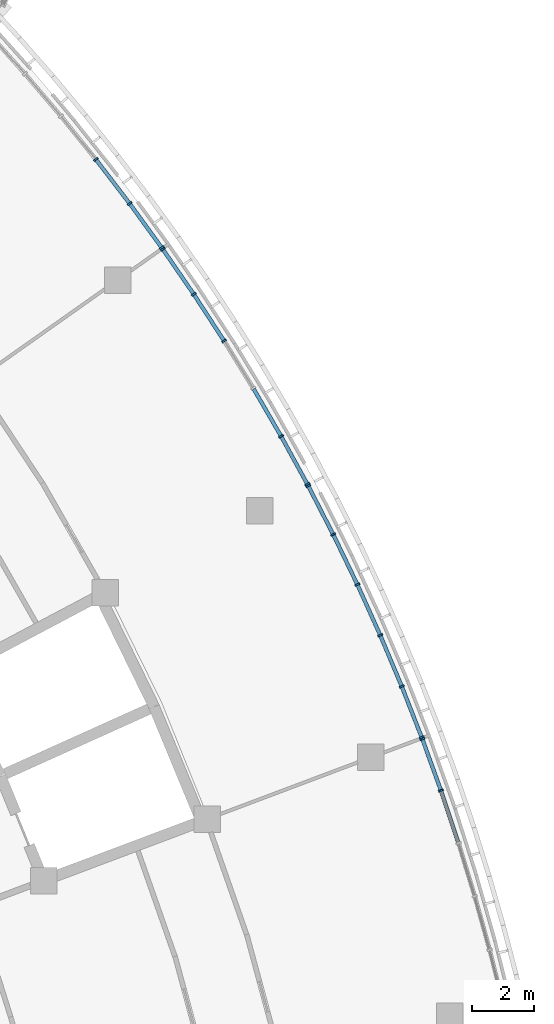
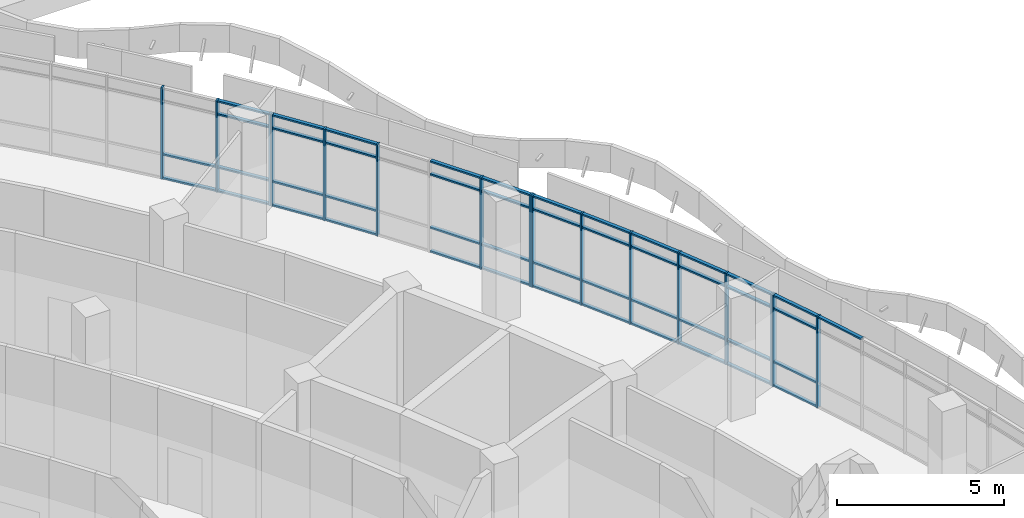
# One storey, part 31 of 136: 63 members, 4 elements without a shape of their own.
"""IFC4 building model written with IfcOpenShell, lengths in metres."""

from ifc_helpers import new_model, si_unit, direction, frame, origin, origin_2d, place, context, subcontext, project, spatial, rectangle, extrude, material, material_profile, profile_set, type_object, element, aggregate, save


model = new_model("IFC4")

# Units and contexts
model_context = context("Model", 3, precision=1e-05, world=origin(), true_north=direction((0.0, 1.0)))
body_context = subcontext(model_context, "Body", "Model", "MODEL_VIEW")
ifc_project = project(units=[si_unit("LENGTHUNIT", "METRE"), si_unit("AREAUNIT", "SQUARE_METRE"), si_unit("VOLUMEUNIT", "CUBIC_METRE"), si_unit("PLANEANGLEUNIT", "RADIAN"), si_unit("MASSUNIT", "GRAM", prefix="KILO")], contexts=[model_context])

# Site, building, storey
site_placement = place(None, origin())
site = spatial("IfcSite", under=ifc_project, at=site_placement, CompositionType="ELEMENT")
building_placement = place(site_placement, origin())
building = spatial("IfcBuilding", under=site, at=building_placement, Name="Bougainvillea Quay General Hospital", CompositionType="ELEMENT")
storey_placement = place(building_placement, frame((0.0, 0.0, 5.39990234375)))
storey = spatial("IfcBuildingStorey", under=building, at=storey_placement, Name="L01", CompositionType="ELEMENT", Elevation=5.39990234375)

# Curtain wall, members
ifc_material_1 = material(Name="Aluminium curtain wall system, powder-coated glazed", Category="aluminium")
curtain_wall_type = type_object("IfcCurtainWallType", Name="Unitised curtain wall CW-2100", PredefinedType="NOTDEFINED", material=ifc_material_1)
curtain_wall_1_placement = place(storey_placement, origin())
curtain_wall_1 = element("IfcCurtainWall", 1, at=curtain_wall_1_placement, inside=storey, type_object=curtain_wall_type, Name="CW-E04 a23b3", PredefinedType="NOTDEFINED")
ifc_material_2 = material(Name="Aluminium mullion, powder-coated charcoal", Category="aluminium")
ifc_material_profile_1 = material_profile(ifc_material_2, rectangle(XDim=0.159912109375, YDim=0.06005859375, at=origin_2d()))
ifc_profile_set_1 = profile_set([ifc_material_profile_1], Name="Aluminium mullion, powder-coated charcoal")
member_type_1 = type_object("IfcMemberType", Name="Curtain wall mullion 160x60", PredefinedType="MULLION", material=ifc_profile_set_1)
member_1_placement = place(storey_placement, frame((164.03125, 65.112060546875, 0.0), z_axis=(0.0, 0.0, 1.0), x_axis=(0.786107232438, 0.618090138337, 0.0)))
member_1 = element("IfcMember", 2, at=member_1_placement, type_object=member_type_1, Name="CW-E04 mullion 4", PredefinedType="MULLION", context=body_context, shape_type="SweptSolid", body=[
    extrude(rectangle(XDim=0.159912109375, YDim=0.06005859375, at=origin_2d()), origin(), (0.0, 0.0, 1.0), 3.35009765625),
])
member_2_placement = place(storey_placement, frame((165.11376953125, 63.69873046875, 0.0), z_axis=(0.0, 0.0, 1.0), x_axis=(0.801625419341, 0.597826636297, 0.0)))
member_2 = element("IfcMember", 3, at=member_2_placement, type_object=member_type_1, Name="CW-E04 mullion 5", PredefinedType="MULLION", context=body_context, shape_type="SweptSolid", body=[
    extrude(rectangle(XDim=0.159912109375, YDim=0.06005859375, at=origin_2d()), origin(), (0.0, 0.0, 1.0), 3.35009765625),
])
member_3_placement = place(storey_placement, frame((166.14208984375, 62.282470703125, 0.0), z_axis=(0.0, 0.0, 1.0), x_axis=(0.809189307232, 0.587548010856, 0.0)))
member_3 = element("IfcMember", 4, at=member_3_placement, type_object=member_type_1, Name="CW-E04 mullion 6", PredefinedType="MULLION", context=body_context, shape_type="SweptSolid", body=[
    extrude(rectangle(XDim=0.159912109375, YDim=0.06005859375, at=origin_2d()), origin(), (0.0, 0.0, 1.0), 3.35009765625),
])

curtain_wall_2_placement = place(storey_placement, origin())
curtain_wall_2 = element("IfcCurtainWall", 5, at=curtain_wall_2_placement, inside=storey, type_object=curtain_wall_type, Name="CW-E05 a23b4", PredefinedType="NOTDEFINED")
member_4_placement = place(storey_placement, frame((166.1767578125, 62.2333984375, 0.0), z_axis=(0.0, 0.0, 1.0), x_axis=(0.823920512723, 0.566705380876, 0.0)))
member_4 = element("IfcMember", 6, at=member_4_placement, type_object=member_type_1, Name="CW-E05 mullion 1", PredefinedType="MULLION", context=body_context, shape_type="SweptSolid", body=[
    extrude(rectangle(XDim=0.159912109375, YDim=0.06005859375, at=origin_2d()), origin(), (0.0, 0.0, 1.0), 3.35009765625),
])
member_5_placement = place(storey_placement, frame((167.168701171875, 60.791259765625, 0.0), z_axis=(0.0, 0.0, 1.0), x_axis=(0.831085431161, 0.556144770821, 0.0)))
member_5 = element("IfcMember", 7, at=member_5_placement, type_object=member_type_1, Name="CW-E05 mullion 2", PredefinedType="MULLION", context=body_context, shape_type="SweptSolid", body=[
    extrude(rectangle(XDim=0.159912109375, YDim=0.06005859375, at=origin_2d()), origin(), (0.0, 0.0, 1.0), 3.35009765625),
])
member_6_placement = place(storey_placement, frame((168.1396484375, 59.29931640625, 0.0), z_axis=(0.0, 0.0, 1.0), x_axis=(0.84500806513, 0.534753559937, 0.0)))
member_6 = element("IfcMember", 8, at=member_6_placement, type_object=member_type_1, Name="CW-E05 mullion 3", PredefinedType="MULLION", context=body_context, shape_type="SweptSolid", body=[
    extrude(rectangle(XDim=0.159912109375, YDim=0.06005859375, at=origin_2d()), origin(), (0.0, 0.0, 1.0), 3.35009765625),
])
member_7_placement = place(storey_placement, frame((169.966064453125, 56.243408203125, 0.0), z_axis=(0.0, 0.0, 1.0), x_axis=(0.871193247428, 0.490940246503, 0.0)))
member_7 = element("IfcMember", 9, at=member_7_placement, type_object=member_type_1, Name="CW-E05 mullion 5", PredefinedType="MULLION", context=body_context, shape_type="SweptSolid", body=[
    extrude(rectangle(XDim=0.159912109375, YDim=0.06005859375, at=origin_2d()), origin(), (0.0, 0.0, 1.0), 3.35009765625),
])
member_8_placement = place(storey_placement, frame((170.805908203125, 54.707763671875, 0.0), z_axis=(0.0, 0.0, 1.0), x_axis=(0.877387439543, 0.479782535044, 0.0)))
member_8 = element("IfcMember", 10, at=member_8_placement, type_object=member_type_1, Name="CW-E05 mullion 6", PredefinedType="MULLION", context=body_context, shape_type="SweptSolid", body=[
    extrude(rectangle(XDim=0.159912109375, YDim=0.06005859375, at=origin_2d()), origin(), (0.0, 0.0, 1.0), 3.35009765625),
])

curtain_wall_3_placement = place(storey_placement, origin())
curtain_wall_3 = element("IfcCurtainWall", 11, at=curtain_wall_3_placement, inside=storey, type_object=curtain_wall_type, Name="CW-E06 a23b5", PredefinedType="NOTDEFINED")
member_9_placement = place(storey_placement, frame((170.833984375, 54.65478515625, 0.0), z_axis=(0.0, 0.0, 1.0), x_axis=(0.889346157599, 0.457234526215, 0.0)))
member_9 = element("IfcMember", 12, at=member_9_placement, type_object=member_type_1, Name="CW-E06 mullion 1", PredefinedType="MULLION", context=body_context, shape_type="SweptSolid", body=[
    extrude(rectangle(XDim=0.159912109375, YDim=0.06005859375, at=origin_2d()), origin(), (0.0, 0.0, 1.0), 3.35009765625),
])
member_10_placement = place(storey_placement, frame((171.63427734375, 53.09814453125, 0.0), z_axis=(0.0, 0.0, 1.0), x_axis=(0.895108735914, 0.445847901072, 0.0)))
member_10 = element("IfcMember", 13, at=member_10_placement, type_object=member_type_1, Name="CW-E06 mullion 2", PredefinedType="MULLION", context=body_context, shape_type="SweptSolid", body=[
    extrude(rectangle(XDim=0.159912109375, YDim=0.06005859375, at=origin_2d()), origin(), (0.0, 0.0, 1.0), 3.35009765625),
])
member_11_placement = place(storey_placement, frame((172.407470703125, 51.49462890625, 0.0), z_axis=(0.0, 0.0, 1.0), x_axis=(0.906195638727, 0.422858681301, 0.0)))
member_11 = element("IfcMember", 14, at=member_11_placement, type_object=member_type_1, Name="CW-E06 mullion 3", PredefinedType="MULLION", context=body_context, shape_type="SweptSolid", body=[
    extrude(rectangle(XDim=0.159912109375, YDim=0.06005859375, at=origin_2d()), origin(), (0.0, 0.0, 1.0), 3.35009765625),
])
member_12_placement = place(storey_placement, frame((173.1396484375, 49.871826171875, 0.0), z_axis=(0.0, 0.0, 1.0), x_axis=(0.916692224279, 0.399594001388, 0.0)))
member_12 = element("IfcMember", 15, at=member_12_placement, type_object=member_type_1, Name="CW-E06 mullion 4", PredefinedType="MULLION", context=body_context, shape_type="SweptSolid", body=[
    extrude(rectangle(XDim=0.159912109375, YDim=0.06005859375, at=origin_2d()), origin(), (0.0, 0.0, 1.0), 3.35009765625),
])
member_13_placement = place(storey_placement, frame((173.830078125, 48.23095703125, 0.0), z_axis=(0.0, 0.0, 1.0), x_axis=(0.926591654846, 0.376069016497, 0.0)))
member_13 = element("IfcMember", 16, at=member_13_placement, type_object=member_type_1, Name="CW-E06 mullion 5", PredefinedType="MULLION", context=body_context, shape_type="SweptSolid", body=[
    extrude(rectangle(XDim=0.159912109375, YDim=0.06005859375, at=origin_2d()), origin(), (0.0, 0.0, 1.0), 3.35009765625),
])
member_14_placement = place(storey_placement, frame((174.4677734375, 46.60107421875, 0.0), z_axis=(0.0, 0.0, 1.0), x_axis=(0.931315406472, 0.364213692311, 0.0)))
member_14 = element("IfcMember", 17, at=member_14_placement, type_object=member_type_1, Name="CW-E06 mullion 6", PredefinedType="MULLION", context=body_context, shape_type="SweptSolid", body=[
    extrude(rectangle(XDim=0.159912109375, YDim=0.06005859375, at=origin_2d()), origin(), (0.0, 0.0, 1.0), 3.35009765625),
])

curtain_wall_4_placement = place(storey_placement, origin())
curtain_wall_4 = element("IfcCurtainWall", 18, at=curtain_wall_4_placement, inside=storey, type_object=curtain_wall_type, Name="CW-E07 a23b6", PredefinedType="NOTDEFINED")
member_15_placement = place(storey_placement, frame((174.48876953125, 46.544921875, 0.0), z_axis=(0.0, 0.0, 1.0), x_axis=(0.940307135924, 0.340327034086, 0.0)))
member_15 = element("IfcMember", 19, at=member_15_placement, type_object=member_type_1, Name="CW-E07 mullion 1", PredefinedType="MULLION", context=body_context, shape_type="SweptSolid", body=[
    extrude(rectangle(XDim=0.159912109375, YDim=0.06005859375, at=origin_2d()), origin(), (0.0, 0.0, 1.0), 3.35009765625),
])
member_16_placement = place(storey_placement, frame((175.08447265625, 44.899169921875, 0.0), z_axis=(0.0, 0.0, 1.0), x_axis=(0.944573649334, 0.328299590289, 0.0)))
member_16 = element("IfcMember", 20, at=member_16_placement, type_object=member_type_1, Name="CW-E07 mullion 2", PredefinedType="MULLION", context=body_context, shape_type="SweptSolid", body=[
    extrude(rectangle(XDim=0.159912109375, YDim=0.06005859375, at=origin_2d()), origin(), (0.0, 0.0, 1.0), 3.35009765625),
])

# Member
ifc_material_3 = material(Name="Aluminium transom, powder-coated charcoal", Category="aluminium")
ifc_material_profile_2 = material_profile(ifc_material_3, rectangle(XDim=0.1201171875, YDim=0.06005859375, at=origin_2d()))
ifc_profile_set_2 = profile_set([ifc_material_profile_2], Name="Aluminium transom, powder-coated charcoal")
member_type_2 = type_object("IfcMemberType", Name="Curtain wall transom 120x60", PredefinedType="USERDEFINED", material=ifc_profile_set_2)
member_17_placement = place(storey_placement, frame((164.049560546875, 65.08837890625, 0.030029296875), z_axis=(0.607939858347, -0.793983078304, 0.0), x_axis=(0.793983078304, 0.607939858347, 0.0)))
member_17 = element("IfcMember", 21, at=member_17_placement, type_object=member_type_2, Name="CW-E04 transom 4.1", ObjectType="TRANSOM", PredefinedType="USERDEFINED", context=body_context, shape_type="SweptSolid", body=[
    extrude(rectangle(XDim=0.1201171875, YDim=0.06005859375, at=origin_2d()), origin(), (0.0, 0.0, 1.0), 1.720458984375),
])

member_18_placement = place(storey_placement, frame((164.049560546875, 65.08837890625, 0.900146484375), z_axis=(0.607939858347, -0.793983078304, 0.0), x_axis=(0.793983078304, 0.607939858347, 0.0)))
member_18 = element("IfcMember", 22, at=member_18_placement, type_object=member_type_2, Name="CW-E04 transom 4.2", ObjectType="TRANSOM", PredefinedType="USERDEFINED", context=body_context, shape_type="SweptSolid", body=[
    extrude(rectangle(XDim=0.1201171875, YDim=0.06005859375, at=origin_2d()), origin(), (0.0, 0.0, 1.0), 1.720458984375),
])

member_19_placement = place(storey_placement, frame((165.13134765625, 63.67431640625, 0.030029296875), z_axis=(0.587587532685, -0.80916060917, 0.0), x_axis=(0.80916060917, 0.587587532685, 0.0)))
member_19 = element("IfcMember", 23, at=member_19_placement, type_object=member_type_2, Name="CW-E04 transom 5.1", ObjectType="TRANSOM", PredefinedType="USERDEFINED", context=body_context, shape_type="SweptSolid", body=[
    extrude(rectangle(XDim=0.1201171875, YDim=0.06005859375, at=origin_2d()), origin(), (0.0, 0.0, 1.0), 1.690185546875),
])

member_20_placement = place(storey_placement, frame((165.13134765625, 63.67431640625, 0.900146484375), z_axis=(0.587587532685, -0.80916060917, 0.0), x_axis=(0.80916060917, 0.587587532685, 0.0)))
member_20 = element("IfcMember", 24, at=member_20_placement, type_object=member_type_2, Name="CW-E04 transom 5.2", ObjectType="TRANSOM", PredefinedType="USERDEFINED", context=body_context, shape_type="SweptSolid", body=[
    extrude(rectangle(XDim=0.1201171875, YDim=0.06005859375, at=origin_2d()), origin(), (0.0, 0.0, 1.0), 1.690185546875),
])

member_21_placement = place(storey_placement, frame((165.13134765625, 63.67431640625, 2.85009765625), z_axis=(0.587587532685, -0.80916060917, 0.0), x_axis=(0.80916060917, 0.587587532685, 0.0)))
member_21 = element("IfcMember", 25, at=member_21_placement, type_object=member_type_2, Name="CW-E04 transom 5.3", ObjectType="TRANSOM", PredefinedType="USERDEFINED", context=body_context, shape_type="SweptSolid", body=[
    extrude(rectangle(XDim=0.1201171875, YDim=0.06005859375, at=origin_2d()), origin(), (0.0, 0.0, 1.0), 1.690185546875),
])

member_22_placement = place(storey_placement, frame((165.13134765625, 63.67431640625, 3.320068359375), z_axis=(0.587587532685, -0.80916060917, 0.0), x_axis=(0.80916060917, 0.587587532685, 0.0)))
member_22 = element("IfcMember", 26, at=member_22_placement, type_object=member_type_2, Name="CW-E04 transom 5.4", ObjectType="TRANSOM", PredefinedType="USERDEFINED", context=body_context, shape_type="SweptSolid", body=[
    extrude(rectangle(XDim=0.1201171875, YDim=0.06005859375, at=origin_2d()), origin(), (0.0, 0.0, 1.0), 1.690185546875),
])

aggregate(curtain_wall_1, [member_1, member_2, member_3, member_17, member_18, member_19, member_20, member_21, member_22])

member_23_placement = place(storey_placement, frame((166.19384765625, 62.208740234375, 0.030029296875), z_axis=(0.566675945588, -0.823940757999, 0.0), x_axis=(0.823940757999, 0.566675945588, 0.0)))
member_23 = element("IfcMember", 27, at=member_23_placement, type_object=member_type_2, Name="CW-E05 transom 1.1", ObjectType="TRANSOM", PredefinedType="USERDEFINED", context=body_context, shape_type="SweptSolid", body=[
    extrude(rectangle(XDim=0.1201171875, YDim=0.06005859375, at=origin_2d()), origin(), (0.0, 0.0, 1.0), 1.690185546875),
])

member_24_placement = place(storey_placement, frame((166.19384765625, 62.208740234375, 0.900146484375), z_axis=(0.566675945588, -0.823940757999, 0.0), x_axis=(0.823940757999, 0.566675945588, 0.0)))
member_24 = element("IfcMember", 28, at=member_24_placement, type_object=member_type_2, Name="CW-E05 transom 1.2", ObjectType="TRANSOM", PredefinedType="USERDEFINED", context=body_context, shape_type="SweptSolid", body=[
    extrude(rectangle(XDim=0.1201171875, YDim=0.06005859375, at=origin_2d()), origin(), (0.0, 0.0, 1.0), 1.690185546875),
])

member_25_placement = place(storey_placement, frame((166.19384765625, 62.208740234375, 2.85009765625), z_axis=(0.566675945588, -0.823940757999, 0.0), x_axis=(0.823940757999, 0.566675945588, 0.0)))
member_25 = element("IfcMember", 29, at=member_25_placement, type_object=member_type_2, Name="CW-E05 transom 1.3", ObjectType="TRANSOM", PredefinedType="USERDEFINED", context=body_context, shape_type="SweptSolid", body=[
    extrude(rectangle(XDim=0.1201171875, YDim=0.06005859375, at=origin_2d()), origin(), (0.0, 0.0, 1.0), 1.690185546875),
])

member_26_placement = place(storey_placement, frame((166.19384765625, 62.208740234375, 3.320068359375), z_axis=(0.566675945588, -0.823940757999, 0.0), x_axis=(0.823940757999, 0.566675945588, 0.0)))
member_26 = element("IfcMember", 30, at=member_26_placement, type_object=member_type_2, Name="CW-E05 transom 1.4", ObjectType="TRANSOM", PredefinedType="USERDEFINED", context=body_context, shape_type="SweptSolid", body=[
    extrude(rectangle(XDim=0.1201171875, YDim=0.06005859375, at=origin_2d()), origin(), (0.0, 0.0, 1.0), 1.690185546875),
])

member_27_placement = place(storey_placement, frame((167.18505859375, 60.76611328125, 0.030029296875), z_axis=(0.545462216901, -0.838135412647, 0.0), x_axis=(0.838135412647, 0.545462216901, 0.0)))
member_27 = element("IfcMember", 31, at=member_27_placement, type_object=member_type_2, Name="CW-E05 transom 2.1", ObjectType="TRANSOM", PredefinedType="USERDEFINED", context=body_context, shape_type="SweptSolid", body=[
    extrude(rectangle(XDim=0.1201171875, YDim=0.06005859375, at=origin_2d()), origin(), (0.0, 0.0, 1.0), 1.719970703125),
])

member_28_placement = place(storey_placement, frame((167.18505859375, 60.76611328125, 0.900146484375), z_axis=(0.545462216901, -0.838135412647, 0.0), x_axis=(0.838135412647, 0.545462216901, 0.0)))
member_28 = element("IfcMember", 32, at=member_28_placement, type_object=member_type_2, Name="CW-E05 transom 2.2", ObjectType="TRANSOM", PredefinedType="USERDEFINED", context=body_context, shape_type="SweptSolid", body=[
    extrude(rectangle(XDim=0.1201171875, YDim=0.06005859375, at=origin_2d()), origin(), (0.0, 0.0, 1.0), 1.719970703125),
])

member_29_placement = place(storey_placement, frame((167.18505859375, 60.76611328125, 2.85009765625), z_axis=(0.545462216901, -0.838135412647, 0.0), x_axis=(0.838135412647, 0.545462216901, 0.0)))
member_29 = element("IfcMember", 33, at=member_29_placement, type_object=member_type_2, Name="CW-E05 transom 2.3", ObjectType="TRANSOM", PredefinedType="USERDEFINED", context=body_context, shape_type="SweptSolid", body=[
    extrude(rectangle(XDim=0.1201171875, YDim=0.06005859375, at=origin_2d()), origin(), (0.0, 0.0, 1.0), 1.719970703125),
])

member_30_placement = place(storey_placement, frame((167.18505859375, 60.76611328125, 3.320068359375), z_axis=(0.545462216901, -0.838135412647, 0.0), x_axis=(0.838135412647, 0.545462216901, 0.0)))
member_30 = element("IfcMember", 34, at=member_30_placement, type_object=member_type_2, Name="CW-E05 transom 2.4", ObjectType="TRANSOM", PredefinedType="USERDEFINED", context=body_context, shape_type="SweptSolid", body=[
    extrude(rectangle(XDim=0.1201171875, YDim=0.06005859375, at=origin_2d()), origin(), (0.0, 0.0, 1.0), 1.719970703125),
])

member_31_placement = place(storey_placement, frame((169.08740234375, 57.757080078125, 0.030029296875), z_axis=(0.502087586524, -0.864816775658, 0.0), x_axis=(0.864816775658, 0.502087586524, 0.0)))
member_31 = element("IfcMember", 35, at=member_31_placement, type_object=member_type_2, Name="CW-E05 transom 4.1", ObjectType="TRANSOM", PredefinedType="USERDEFINED", context=body_context, shape_type="SweptSolid", body=[
    extrude(rectangle(XDim=0.1201171875, YDim=0.06005859375, at=origin_2d()), origin(), (0.0, 0.0, 1.0), 1.720458984375),
])

member_32_placement = place(storey_placement, frame((169.08740234375, 57.757080078125, 0.900146484375), z_axis=(0.502087586524, -0.864816775658, 0.0), x_axis=(0.864816775658, 0.502087586524, 0.0)))
member_32 = element("IfcMember", 36, at=member_32_placement, type_object=member_type_2, Name="CW-E05 transom 4.2", ObjectType="TRANSOM", PredefinedType="USERDEFINED", context=body_context, shape_type="SweptSolid", body=[
    extrude(rectangle(XDim=0.1201171875, YDim=0.06005859375, at=origin_2d()), origin(), (0.0, 0.0, 1.0), 1.720458984375),
])

member_33_placement = place(storey_placement, frame((169.08740234375, 57.757080078125, 2.85009765625), z_axis=(0.502087586524, -0.864816775658, 0.0), x_axis=(0.864816775658, 0.502087586524, 0.0)))
member_33 = element("IfcMember", 37, at=member_33_placement, type_object=member_type_2, Name="CW-E05 transom 4.3", ObjectType="TRANSOM", PredefinedType="USERDEFINED", context=body_context, shape_type="SweptSolid", body=[
    extrude(rectangle(XDim=0.1201171875, YDim=0.06005859375, at=origin_2d()), origin(), (0.0, 0.0, 1.0), 1.720458984375),
])

member_34_placement = place(storey_placement, frame((169.08740234375, 57.757080078125, 3.320068359375), z_axis=(0.502087586524, -0.864816775658, 0.0), x_axis=(0.864816775658, 0.502087586524, 0.0)))
member_34 = element("IfcMember", 38, at=member_34_placement, type_object=member_type_2, Name="CW-E05 transom 4.4", ObjectType="TRANSOM", PredefinedType="USERDEFINED", context=body_context, shape_type="SweptSolid", body=[
    extrude(rectangle(XDim=0.1201171875, YDim=0.06005859375, at=origin_2d()), origin(), (0.0, 0.0, 1.0), 1.720458984375),
])

member_35_placement = place(storey_placement, frame((169.98046875, 56.217041015625, 0.030029296875), z_axis=(0.479782810498, -0.877387288915, 0.0), x_axis=(0.877387288915, 0.479782810498, 0.0)))
member_35 = element("IfcMember", 39, at=member_35_placement, type_object=member_type_2, Name="CW-E05 transom 5.1", ObjectType="TRANSOM", PredefinedType="USERDEFINED", context=body_context, shape_type="SweptSolid", body=[
    extrude(rectangle(XDim=0.1201171875, YDim=0.06005859375, at=origin_2d()), origin(), (0.0, 0.0, 1.0), 1.6904296875),
])

member_36_placement = place(storey_placement, frame((169.98046875, 56.217041015625, 0.900146484375), z_axis=(0.479782810498, -0.877387288915, 0.0), x_axis=(0.877387288915, 0.479782810498, 0.0)))
member_36 = element("IfcMember", 40, at=member_36_placement, type_object=member_type_2, Name="CW-E05 transom 5.2", ObjectType="TRANSOM", PredefinedType="USERDEFINED", context=body_context, shape_type="SweptSolid", body=[
    extrude(rectangle(XDim=0.1201171875, YDim=0.06005859375, at=origin_2d()), origin(), (0.0, 0.0, 1.0), 1.6904296875),
])

member_37_placement = place(storey_placement, frame((169.98046875, 56.217041015625, 2.85009765625), z_axis=(0.479782810498, -0.877387288915, 0.0), x_axis=(0.877387288915, 0.479782810498, 0.0)))
member_37 = element("IfcMember", 41, at=member_37_placement, type_object=member_type_2, Name="CW-E05 transom 5.3", ObjectType="TRANSOM", PredefinedType="USERDEFINED", context=body_context, shape_type="SweptSolid", body=[
    extrude(rectangle(XDim=0.1201171875, YDim=0.06005859375, at=origin_2d()), origin(), (0.0, 0.0, 1.0), 1.6904296875),
])

member_38_placement = place(storey_placement, frame((169.98046875, 56.217041015625, 3.320068359375), z_axis=(0.479782810498, -0.877387288915, 0.0), x_axis=(0.877387288915, 0.479782810498, 0.0)))
member_38 = element("IfcMember", 42, at=member_38_placement, type_object=member_type_2, Name="CW-E05 transom 5.4", ObjectType="TRANSOM", PredefinedType="USERDEFINED", context=body_context, shape_type="SweptSolid", body=[
    extrude(rectangle(XDim=0.1201171875, YDim=0.06005859375, at=origin_2d()), origin(), (0.0, 0.0, 1.0), 1.6904296875),
])

aggregate(curtain_wall_2, [member_4, member_5, member_6, member_7, member_8, member_23, member_24, member_25, member_26, member_27, member_28, member_29, member_30, member_31, member_32, member_33, member_34, member_35, member_36, member_37, member_38])

member_39_placement = place(storey_placement, frame((170.84765625, 54.6279296875, 0.030029296875), z_axis=(0.457295793511, -0.889314655922, 0.0), x_axis=(0.889314655922, 0.457295793511, 0.0)))
member_39 = element("IfcMember", 43, at=member_39_placement, type_object=member_type_2, Name="CW-E06 transom 1.1", ObjectType="TRANSOM", PredefinedType="USERDEFINED", context=body_context, shape_type="SweptSolid", body=[
    extrude(rectangle(XDim=0.1201171875, YDim=0.06005859375, at=origin_2d()), origin(), (0.0, 0.0, 1.0), 1.690185546875),
])

member_40_placement = place(storey_placement, frame((170.84765625, 54.6279296875, 0.900146484375), z_axis=(0.457295793511, -0.889314655922, 0.0), x_axis=(0.889314655922, 0.457295793511, 0.0)))
member_40 = element("IfcMember", 44, at=member_40_placement, type_object=member_type_2, Name="CW-E06 transom 1.2", ObjectType="TRANSOM", PredefinedType="USERDEFINED", context=body_context, shape_type="SweptSolid", body=[
    extrude(rectangle(XDim=0.1201171875, YDim=0.06005859375, at=origin_2d()), origin(), (0.0, 0.0, 1.0), 1.690185546875),
])

member_41_placement = place(storey_placement, frame((170.84765625, 54.6279296875, 2.85009765625), z_axis=(0.457295793511, -0.889314655922, 0.0), x_axis=(0.889314655922, 0.457295793511, 0.0)))
member_41 = element("IfcMember", 45, at=member_41_placement, type_object=member_type_2, Name="CW-E06 transom 1.3", ObjectType="TRANSOM", PredefinedType="USERDEFINED", context=body_context, shape_type="SweptSolid", body=[
    extrude(rectangle(XDim=0.1201171875, YDim=0.06005859375, at=origin_2d()), origin(), (0.0, 0.0, 1.0), 1.690185546875),
])

member_42_placement = place(storey_placement, frame((170.84765625, 54.6279296875, 3.320068359375), z_axis=(0.457295793511, -0.889314655922, 0.0), x_axis=(0.889314655922, 0.457295793511, 0.0)))
member_42 = element("IfcMember", 46, at=member_42_placement, type_object=member_type_2, Name="CW-E06 transom 1.4", ObjectType="TRANSOM", PredefinedType="USERDEFINED", context=body_context, shape_type="SweptSolid", body=[
    extrude(rectangle(XDim=0.1201171875, YDim=0.06005859375, at=origin_2d()), origin(), (0.0, 0.0, 1.0), 1.690185546875),
])

member_43_placement = place(storey_placement, frame((171.647216796875, 53.071044921875, 0.030029296875), z_axis=(0.434451356132, -0.90069529762, 0.0), x_axis=(0.90069529762, 0.434451356132, 0.0)))
member_43 = element("IfcMember", 47, at=member_43_placement, type_object=member_type_2, Name="CW-E06 transom 2.1", ObjectType="TRANSOM", PredefinedType="USERDEFINED", context=body_context, shape_type="SweptSolid", body=[
    extrude(rectangle(XDim=0.1201171875, YDim=0.06005859375, at=origin_2d()), origin(), (0.0, 0.0, 1.0), 1.72021484375),
])

member_44_placement = place(storey_placement, frame((171.647216796875, 53.071044921875, 0.900146484375), z_axis=(0.434451356132, -0.90069529762, 0.0), x_axis=(0.90069529762, 0.434451356132, 0.0)))
member_44 = element("IfcMember", 48, at=member_44_placement, type_object=member_type_2, Name="CW-E06 transom 2.2", ObjectType="TRANSOM", PredefinedType="USERDEFINED", context=body_context, shape_type="SweptSolid", body=[
    extrude(rectangle(XDim=0.1201171875, YDim=0.06005859375, at=origin_2d()), origin(), (0.0, 0.0, 1.0), 1.72021484375),
])

member_45_placement = place(storey_placement, frame((171.647216796875, 53.071044921875, 2.85009765625), z_axis=(0.434451356132, -0.90069529762, 0.0), x_axis=(0.90069529762, 0.434451356132, 0.0)))
member_45 = element("IfcMember", 49, at=member_45_placement, type_object=member_type_2, Name="CW-E06 transom 2.3", ObjectType="TRANSOM", PredefinedType="USERDEFINED", context=body_context, shape_type="SweptSolid", body=[
    extrude(rectangle(XDim=0.1201171875, YDim=0.06005859375, at=origin_2d()), origin(), (0.0, 0.0, 1.0), 1.72021484375),
])

member_46_placement = place(storey_placement, frame((171.647216796875, 53.071044921875, 3.320068359375), z_axis=(0.434451356132, -0.90069529762, 0.0), x_axis=(0.90069529762, 0.434451356132, 0.0)))
member_46 = element("IfcMember", 50, at=member_46_placement, type_object=member_type_2, Name="CW-E06 transom 2.4", ObjectType="TRANSOM", PredefinedType="USERDEFINED", context=body_context, shape_type="SweptSolid", body=[
    extrude(rectangle(XDim=0.1201171875, YDim=0.06005859375, at=origin_2d()), origin(), (0.0, 0.0, 1.0), 1.72021484375),
])

member_47_placement = place(storey_placement, frame((172.419921875, 51.46728515625, 0.030029296875), z_axis=(0.411267298249, -0.911514788356, 0.0), x_axis=(0.911514788356, 0.411267298249, 0.0)))
member_47 = element("IfcMember", 51, at=member_47_placement, type_object=member_type_2, Name="CW-E06 transom 3.1", ObjectType="TRANSOM", PredefinedType="USERDEFINED", context=body_context, shape_type="SweptSolid", body=[
    extrude(rectangle(XDim=0.1201171875, YDim=0.06005859375, at=origin_2d()), origin(), (0.0, 0.0, 1.0), 1.720458984375),
])

member_48_placement = place(storey_placement, frame((172.419921875, 51.46728515625, 0.900146484375), z_axis=(0.411267298249, -0.911514788356, 0.0), x_axis=(0.911514788356, 0.411267298249, 0.0)))
member_48 = element("IfcMember", 52, at=member_48_placement, type_object=member_type_2, Name="CW-E06 transom 3.2", ObjectType="TRANSOM", PredefinedType="USERDEFINED", context=body_context, shape_type="SweptSolid", body=[
    extrude(rectangle(XDim=0.1201171875, YDim=0.06005859375, at=origin_2d()), origin(), (0.0, 0.0, 1.0), 1.720458984375),
])

member_49_placement = place(storey_placement, frame((172.419921875, 51.46728515625, 2.85009765625), z_axis=(0.411267298249, -0.911514788356, 0.0), x_axis=(0.911514788356, 0.411267298249, 0.0)))
member_49 = element("IfcMember", 53, at=member_49_placement, type_object=member_type_2, Name="CW-E06 transom 3.3", ObjectType="TRANSOM", PredefinedType="USERDEFINED", context=body_context, shape_type="SweptSolid", body=[
    extrude(rectangle(XDim=0.1201171875, YDim=0.06005859375, at=origin_2d()), origin(), (0.0, 0.0, 1.0), 1.720458984375),
])

member_50_placement = place(storey_placement, frame((172.419921875, 51.46728515625, 3.320068359375), z_axis=(0.411267298249, -0.911514788356, 0.0), x_axis=(0.911514788356, 0.411267298249, 0.0)))
member_50 = element("IfcMember", 54, at=member_50_placement, type_object=member_type_2, Name="CW-E06 transom 3.4", ObjectType="TRANSOM", PredefinedType="USERDEFINED", context=body_context, shape_type="SweptSolid", body=[
    extrude(rectangle(XDim=0.1201171875, YDim=0.06005859375, at=origin_2d()), origin(), (0.0, 0.0, 1.0), 1.720458984375),
])

member_51_placement = place(storey_placement, frame((173.1513671875, 49.84423828125, 0.030029296875), z_axis=(0.387847626956, -0.921723504238, 0.0), x_axis=(0.921723504238, 0.387847626956, 0.0)))
member_51 = element("IfcMember", 55, at=member_51_placement, type_object=member_type_2, Name="CW-E06 transom 4.1", ObjectType="TRANSOM", PredefinedType="USERDEFINED", context=body_context, shape_type="SweptSolid", body=[
    extrude(rectangle(XDim=0.1201171875, YDim=0.06005859375, at=origin_2d()), origin(), (0.0, 0.0, 1.0), 1.720458984375),
])

member_52_placement = place(storey_placement, frame((173.1513671875, 49.84423828125, 0.900146484375), z_axis=(0.387847626956, -0.921723504238, 0.0), x_axis=(0.921723504238, 0.387847626956, 0.0)))
member_52 = element("IfcMember", 56, at=member_52_placement, type_object=member_type_2, Name="CW-E06 transom 4.2", ObjectType="TRANSOM", PredefinedType="USERDEFINED", context=body_context, shape_type="SweptSolid", body=[
    extrude(rectangle(XDim=0.1201171875, YDim=0.06005859375, at=origin_2d()), origin(), (0.0, 0.0, 1.0), 1.720458984375),
])

member_53_placement = place(storey_placement, frame((173.1513671875, 49.84423828125, 2.85009765625), z_axis=(0.387847626956, -0.921723504238, 0.0), x_axis=(0.921723504238, 0.387847626956, 0.0)))
member_53 = element("IfcMember", 57, at=member_53_placement, type_object=member_type_2, Name="CW-E06 transom 4.3", ObjectType="TRANSOM", PredefinedType="USERDEFINED", context=body_context, shape_type="SweptSolid", body=[
    extrude(rectangle(XDim=0.1201171875, YDim=0.06005859375, at=origin_2d()), origin(), (0.0, 0.0, 1.0), 1.720458984375),
])

member_54_placement = place(storey_placement, frame((173.1513671875, 49.84423828125, 3.320068359375), z_axis=(0.387847626956, -0.921723504238, 0.0), x_axis=(0.921723504238, 0.387847626956, 0.0)))
member_54 = element("IfcMember", 58, at=member_54_placement, type_object=member_type_2, Name="CW-E06 transom 4.4", ObjectType="TRANSOM", PredefinedType="USERDEFINED", context=body_context, shape_type="SweptSolid", body=[
    extrude(rectangle(XDim=0.1201171875, YDim=0.06005859375, at=origin_2d()), origin(), (0.0, 0.0, 1.0), 1.720458984375),
])

member_55_placement = place(storey_placement, frame((173.841064453125, 48.203125, 0.030029296875), z_axis=(0.364257753557, -0.931298174042, 0.0), x_axis=(0.931298174042, 0.364257753557, 0.0)))
member_55 = element("IfcMember", 59, at=member_55_placement, type_object=member_type_2, Name="CW-E06 transom 5.1", ObjectType="TRANSOM", PredefinedType="USERDEFINED", context=body_context, shape_type="SweptSolid", body=[
    extrude(rectangle(XDim=0.1201171875, YDim=0.06005859375, at=origin_2d()), origin(), (0.0, 0.0, 1.0), 1.6904296875),
])

member_56_placement = place(storey_placement, frame((173.841064453125, 48.203125, 0.900146484375), z_axis=(0.364257753557, -0.931298174042, 0.0), x_axis=(0.931298174042, 0.364257753557, 0.0)))
member_56 = element("IfcMember", 60, at=member_56_placement, type_object=member_type_2, Name="CW-E06 transom 5.2", ObjectType="TRANSOM", PredefinedType="USERDEFINED", context=body_context, shape_type="SweptSolid", body=[
    extrude(rectangle(XDim=0.1201171875, YDim=0.06005859375, at=origin_2d()), origin(), (0.0, 0.0, 1.0), 1.6904296875),
])

member_57_placement = place(storey_placement, frame((173.841064453125, 48.203125, 2.85009765625), z_axis=(0.364257753557, -0.931298174042, 0.0), x_axis=(0.931298174042, 0.364257753557, 0.0)))
member_57 = element("IfcMember", 61, at=member_57_placement, type_object=member_type_2, Name="CW-E06 transom 5.3", ObjectType="TRANSOM", PredefinedType="USERDEFINED", context=body_context, shape_type="SweptSolid", body=[
    extrude(rectangle(XDim=0.1201171875, YDim=0.06005859375, at=origin_2d()), origin(), (0.0, 0.0, 1.0), 1.6904296875),
])

member_58_placement = place(storey_placement, frame((173.841064453125, 48.203125, 3.320068359375), z_axis=(0.364257753557, -0.931298174042, 0.0), x_axis=(0.931298174042, 0.364257753557, 0.0)))
member_58 = element("IfcMember", 62, at=member_58_placement, type_object=member_type_2, Name="CW-E06 transom 5.4", ObjectType="TRANSOM", PredefinedType="USERDEFINED", context=body_context, shape_type="SweptSolid", body=[
    extrude(rectangle(XDim=0.1201171875, YDim=0.06005859375, at=origin_2d()), origin(), (0.0, 0.0, 1.0), 1.6904296875),
])

aggregate(curtain_wall_3, [member_9, member_10, member_11, member_12, member_13, member_14, member_39, member_40, member_41, member_42, member_43, member_44, member_45, member_46, member_47, member_48, member_49, member_50, member_51, member_52, member_53, member_54, member_55, member_56, member_57, member_58])

member_59_placement = place(storey_placement, frame((174.4990234375, 46.5166015625, 0.030029296875), z_axis=(0.340304572201, -0.940315265291, 0.0), x_axis=(0.940315265291, 0.340304572201, 0.0)))
member_59 = element("IfcMember", 63, at=member_59_placement, type_object=member_type_2, Name="CW-E07 transom 1.1", ObjectType="TRANSOM", PredefinedType="USERDEFINED", context=body_context, shape_type="SweptSolid", body=[
    extrude(rectangle(XDim=0.1201171875, YDim=0.06005859375, at=origin_2d()), origin(), (0.0, 0.0, 1.0), 1.690185546875),
])

member_60_placement = place(storey_placement, frame((174.4990234375, 46.5166015625, 0.900146484375), z_axis=(0.340304572201, -0.940315265291, 0.0), x_axis=(0.940315265291, 0.340304572201, 0.0)))
member_60 = element("IfcMember", 64, at=member_60_placement, type_object=member_type_2, Name="CW-E07 transom 1.2", ObjectType="TRANSOM", PredefinedType="USERDEFINED", context=body_context, shape_type="SweptSolid", body=[
    extrude(rectangle(XDim=0.1201171875, YDim=0.06005859375, at=origin_2d()), origin(), (0.0, 0.0, 1.0), 1.690185546875),
])

member_61_placement = place(storey_placement, frame((174.4990234375, 46.5166015625, 2.85009765625), z_axis=(0.340304572201, -0.940315265291, 0.0), x_axis=(0.940315265291, 0.340304572201, 0.0)))
member_61 = element("IfcMember", 65, at=member_61_placement, type_object=member_type_2, Name="CW-E07 transom 1.3", ObjectType="TRANSOM", PredefinedType="USERDEFINED", context=body_context, shape_type="SweptSolid", body=[
    extrude(rectangle(XDim=0.1201171875, YDim=0.06005859375, at=origin_2d()), origin(), (0.0, 0.0, 1.0), 1.690185546875),
])

member_62_placement = place(storey_placement, frame((174.4990234375, 46.5166015625, 3.320068359375), z_axis=(0.340304572201, -0.940315265291, 0.0), x_axis=(0.940315265291, 0.340304572201, 0.0)))
member_62 = element("IfcMember", 66, at=member_62_placement, type_object=member_type_2, Name="CW-E07 transom 1.4", ObjectType="TRANSOM", PredefinedType="USERDEFINED", context=body_context, shape_type="SweptSolid", body=[
    extrude(rectangle(XDim=0.1201171875, YDim=0.06005859375, at=origin_2d()), origin(), (0.0, 0.0, 1.0), 1.690185546875),
])

member_63_placement = place(storey_placement, frame((175.093994140625, 44.87060546875, 3.320068359375), z_axis=(0.316185191391, -0.948697488531, 0.0), x_axis=(0.948697488531, 0.316185191391, 0.0)))
member_63 = element("IfcMember", 67, at=member_63_placement, type_object=member_type_2, Name="CW-E07 transom 2.4", ObjectType="TRANSOM", PredefinedType="USERDEFINED", context=body_context, shape_type="SweptSolid", body=[
    extrude(rectangle(XDim=0.1201171875, YDim=0.06005859375, at=origin_2d()), origin(), (0.0, 0.0, 1.0), 1.720458984375),
])

aggregate(curtain_wall_4, [member_15, member_16, member_59, member_60, member_61, member_62, member_63])

save(model, "model.ifc")
